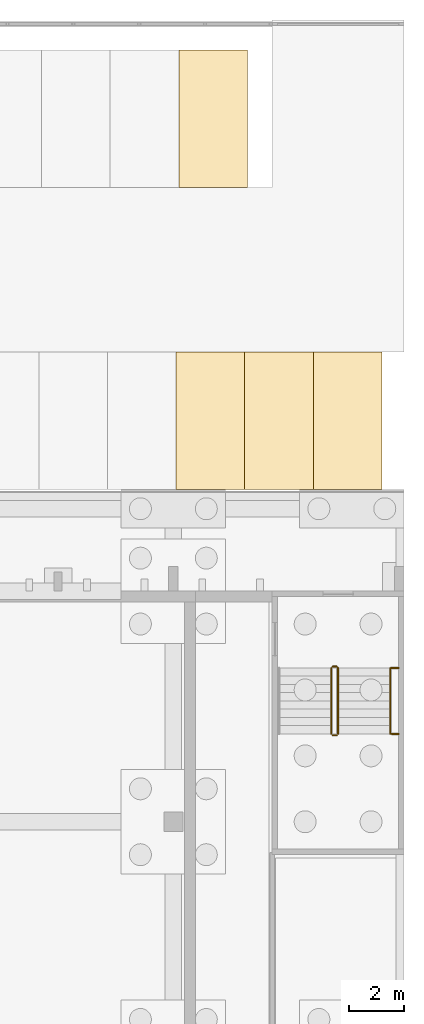
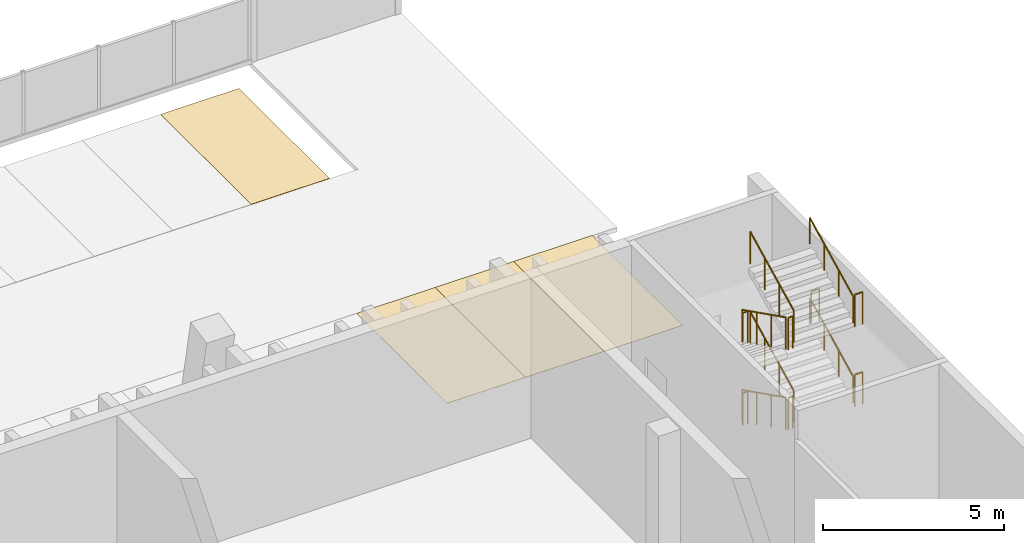
# One storey, part 128 of 129: 13 railings, 4 coverings.
"""IFC4 building model written with IfcOpenShell, lengths in metres."""

from ifc_helpers import new_model, si_unit, direction, frame, origin, origin_2d, place, context, subcontext, project, spatial, polyline, circle, outline, extrude, material, layer, layer_set, type_object, element, save


model = new_model("IFC4")

# Units and contexts
model_context = context("Model", 3, precision=1e-05, world=origin(), true_north=direction((0.0, 1.0)))
body_context = subcontext(model_context, "Body", "Model", "MODEL_VIEW")
ifc_project = project(units=[si_unit("LENGTHUNIT", "METRE"), si_unit("AREAUNIT", "SQUARE_METRE"), si_unit("VOLUMEUNIT", "CUBIC_METRE"), si_unit("PLANEANGLEUNIT", "RADIAN"), si_unit("MASSUNIT", "GRAM", prefix="KILO")], contexts=[model_context])

# Site, building, storey
site_placement = place(None, origin())
site = spatial("IfcSite", under=ifc_project, at=site_placement, CompositionType="ELEMENT")
building_placement = place(site_placement, origin())
building = spatial("IfcBuilding", under=site, at=building_placement, Name="Kiln Court Media Centre", CompositionType="ELEMENT")
storey_placement = place(building_placement, origin())
storey = spatial("IfcBuildingStorey", under=building, at=storey_placement, Name="L00", CompositionType="ELEMENT", Elevation=0.0)

# Railings
ifc_material_1 = material(Name="Steel S275", Category="steel")
railing_type_1 = type_object("IfcRailingType", Name="Steel S275 stair guard 1100", PredefinedType="GUARDRAIL", material=ifc_material_1)
railing_1_placement = place(storey_placement, frame((165.35009765625, 64.39990234375, 0.14990234375)))
element("IfcRailing", 1, at=railing_1_placement, inside=storey, type_object=railing_type_1, Name="ST-15 stair guard", PredefinedType="GUARDRAIL", context=body_context, shape_type="SweptSolid", body=[
    extrude(circle(Radius=0.02392578125, at=origin_2d()), frame((0.0, 0.0, 1.076171875), z_axis=(0.0, -0.894390793703, 0.44728638269), x_axis=(1.0, 0.0, 0.0)), (0.0, 0.0, 1.0), 2.683349609375),
    extrude(circle(Radius=0.02099609375, at=origin_2d()), origin(), (0.0, 0.0, 1.0), 1.052001953125),
    extrude(circle(Radius=0.02099609375, at=origin_2d()), frame((0.0, -0.800048828125, 0.400146484375)), (0.0, 0.0, 1.0), 1.052001953125),
    extrude(circle(Radius=0.02099609375, at=origin_2d()), frame((0.0, -1.599853515625, 0.800048828125)), (0.0, 0.0, 1.0), 1.052001953125),
    extrude(circle(Radius=0.02099609375, at=origin_2d()), frame((0.0, -2.39990234375, 1.2001953125)), (0.0, 0.0, 1.0), 1.052001953125),
])
railing_2_placement = place(storey_placement, frame((165.39990234375, 61.949951171875, 1.35009765625)))
element("IfcRailing", 2, at=railing_2_placement, inside=storey, type_object=railing_type_1, Name="ST-15 stair guard", PredefinedType="GUARDRAIL", context=body_context, shape_type="SweptSolid", body=[
    extrude(circle(Radius=0.02392578125, at=origin_2d()), frame((0.0, 0.0, 1.076171875), z_axis=(1.0, 0.0, 0.0), x_axis=(0.0, 1.0, 0.0)), (0.0, 0.0, 1.0), 0.150146484375),
    extrude(circle(Radius=0.02099609375, at=origin_2d()), origin(), (0.0, 0.0, 1.0), 1.052001953125),
    extrude(circle(Radius=0.02099609375, at=origin_2d()), frame((0.150146484375, 0.0, 0.0)), (0.0, 0.0, 1.0), 1.052001953125),
])
railing_3_placement = place(storey_placement, frame((165.60009765625, 62.0, 1.5)))
element("IfcRailing", 3, at=railing_3_placement, inside=storey, type_object=railing_type_1, Name="ST-15 stair guard", PredefinedType="GUARDRAIL", context=body_context, shape_type="SweptSolid", body=[
    extrude(circle(Radius=0.02392578125, at=origin_2d()), frame((0.0, 0.0, 1.076171875), z_axis=(0.0, 0.894427191, 0.4472135955), x_axis=(-1.0, 0.0, 0.0)), (0.0, 0.0, 1.0), 2.68310546875),
    extrude(circle(Radius=0.02099609375, at=origin_2d()), origin(), (0.0, 0.0, 1.0), 1.052001953125),
    extrude(circle(Radius=0.02099609375, at=origin_2d()), frame((0.0, 0.800048828125, 0.39990234375)), (0.0, 0.0, 1.0), 1.052001953125),
    extrude(circle(Radius=0.02099609375, at=origin_2d()), frame((0.0, 1.599853515625, 0.800048828125)), (0.0, 0.0, 1.0), 1.052001953125),
    extrude(circle(Radius=0.02099609375, at=origin_2d()), frame((0.0, 2.39990234375, 1.199951171875)), (0.0, 0.0, 1.0), 1.052001953125),
])
railing_4_placement = place(storey_placement, frame((165.39990234375, 64.449951171875, 2.699951171875)))
element("IfcRailing", 4, at=railing_4_placement, inside=storey, type_object=railing_type_1, Name="ST-15 stair guard", PredefinedType="GUARDRAIL", context=body_context, shape_type="SweptSolid", body=[
    extrude(circle(Radius=0.02392578125, at=origin_2d()), frame((0.0, 0.0, 1.076171875), z_axis=(1.0, 0.0, 0.0), x_axis=(0.0, 1.0, 0.0)), (0.0, 0.0, 1.0), 0.150146484375),
    extrude(circle(Radius=0.02099609375, at=origin_2d()), origin(), (0.0, 0.0, 1.0), 1.052001953125),
    extrude(circle(Radius=0.02099609375, at=origin_2d()), frame((0.150146484375, 0.0, 0.0)), (0.0, 0.0, 1.0), 1.052001953125),
])
railing_5_placement = place(storey_placement, frame((165.35009765625, 64.39990234375, 2.85009765625)))
element("IfcRailing", 5, at=railing_5_placement, inside=storey, type_object=railing_type_1, Name="ST-15 stair guard", PredefinedType="GUARDRAIL", context=body_context, shape_type="SweptSolid", body=[
    extrude(circle(Radius=0.02392578125, at=origin_2d()), frame((0.0, 0.0, 1.076171875), z_axis=(0.0, -0.894427191, 0.4472135955), x_axis=(1.0, 0.0, 0.0)), (0.0, 0.0, 1.0), 2.68310546875),
    extrude(circle(Radius=0.02099609375, at=origin_2d()), origin(), (0.0, 0.0, 1.0), 1.052001953125),
    extrude(circle(Radius=0.02099609375, at=origin_2d()), frame((0.0, -0.800048828125, 0.39990234375)), (0.0, 0.0, 1.0), 1.052001953125),
    extrude(circle(Radius=0.02099609375, at=origin_2d()), frame((0.0, -1.599853515625, 0.800048828125)), (0.0, 0.0, 1.0), 1.052001953125),
    extrude(circle(Radius=0.02099609375, at=origin_2d()), frame((0.0, -2.39990234375, 1.199951171875)), (0.0, 0.0, 1.0), 1.052001953125),
])
railing_6_placement = place(storey_placement, frame((165.39990234375, 61.949951171875, 4.050048828125)))
element("IfcRailing", 6, at=railing_6_placement, inside=storey, type_object=railing_type_1, Name="ST-15 stair guard", PredefinedType="GUARDRAIL", context=body_context, shape_type="SweptSolid", body=[
    extrude(circle(Radius=0.02392578125, at=origin_2d()), frame((0.0, 0.0, 1.076171875), z_axis=(1.0, 0.0, 0.0), x_axis=(0.0, 1.0, 0.0)), (0.0, 0.0, 1.0), 0.150146484375),
    extrude(circle(Radius=0.02099609375, at=origin_2d()), origin(), (0.0, 0.0, 1.0), 1.052001953125),
    extrude(circle(Radius=0.02099609375, at=origin_2d()), frame((0.150146484375, 0.0, 0.0)), (0.0, 0.0, 1.0), 1.052001953125),
])
railing_7_placement = place(storey_placement, frame((165.60009765625, 62.0, 4.199951171875)))
element("IfcRailing", 7, at=railing_7_placement, inside=storey, type_object=railing_type_1, Name="ST-15 stair guard", PredefinedType="GUARDRAIL", context=body_context, shape_type="SweptSolid", body=[
    extrude(circle(Radius=0.02392578125, at=origin_2d()), frame((0.0, 0.0, 1.076171875), z_axis=(0.0, 0.894427191, 0.4472135955), x_axis=(-1.0, 0.0, 0.0)), (0.0, 0.0, 1.0), 2.68310546875),
    extrude(circle(Radius=0.02099609375, at=origin_2d()), origin(), (0.0, 0.0, 1.0), 1.052001953125),
    extrude(circle(Radius=0.02099609375, at=origin_2d()), frame((0.0, 0.800048828125, 0.39990234375)), (0.0, 0.0, 1.0), 1.052001953125),
    extrude(circle(Radius=0.02099609375, at=origin_2d()), frame((0.0, 1.599853515625, 0.800048828125)), (0.0, 0.0, 1.0), 1.052001953125),
    extrude(circle(Radius=0.02099609375, at=origin_2d()), frame((0.0, 2.39990234375, 1.199951171875)), (0.0, 0.0, 1.0), 1.052001953125),
])
railing_8_placement = place(storey_placement, frame((165.39990234375, 64.449951171875, 0.0)))
element("IfcRailing", 8, at=railing_8_placement, inside=storey, type_object=railing_type_1, Name="ST-15 stair guard", PredefinedType="GUARDRAIL", context=body_context, shape_type="SweptSolid", body=[
    extrude(circle(Radius=0.02392578125, at=origin_2d()), frame((0.0, 0.0, 1.076171875), z_axis=(1.0, 0.0, 0.0), x_axis=(0.0, 1.0, 0.0)), (0.0, 0.0, 1.0), 0.150146484375),
    extrude(circle(Radius=0.02099609375, at=origin_2d()), origin(), (0.0, 0.0, 1.0), 1.052001953125),
    extrude(circle(Radius=0.02099609375, at=origin_2d()), frame((0.150146484375, 0.0, 0.0)), (0.0, 0.0, 1.0), 1.052001953125),
])
for number, where, name in (
    (9, (167.550048828125, 62.0, 1.35009765625), "ST-15 landing edge guard"),
    (10, (167.550048828125, 64.39990234375, 2.699951171875), "ST-15 landing edge guard"),
    (11, (167.550048828125, 62.0, 4.050048828125), "ST-15 landing edge guard"),
):
    element("IfcRailing", number, at=place(storey_placement, frame(where)), inside=storey, type_object=railing_type_1, Name=name, PredefinedType="GUARDRAIL", context=body_context, shape_type="SweptSolid", body=[
        extrude(circle(Radius=0.02392578125, at=origin_2d()), frame((0.0, 0.0, 1.076171875), z_axis=(1.0, 0.0, 0.0), x_axis=(0.0, 1.0, 0.0)), (0.0, 0.0, 1.0), 0.25),
        extrude(circle(Radius=0.02099609375, at=origin_2d()), origin(), (0.0, 0.0, 1.0), 1.052001953125),
        extrude(circle(Radius=0.02099609375, at=origin_2d()), frame((0.25, 0.0, 0.0)), (0.0, 0.0, 1.0), 1.052001953125),
    ])
ifc_material_2 = material(Name="Steel S275", Category="steel")
railing_type_2 = type_object("IfcRailingType", Name="Steel S275 stair handrail 900", PredefinedType="HANDRAIL", material=ifc_material_2)
for number, where, name in (
    (12, (167.5, 62.0, 1.5), "ST-15 stair handrail"),
    (13, (167.5, 62.0, 4.199951171875), "ST-15 stair handrail"),
):
    element("IfcRailing", number, at=place(storey_placement, frame(where)), inside=storey, type_object=railing_type_2, Name=name, PredefinedType="HANDRAIL", context=body_context, shape_type="SweptSolid", body=[
        extrude(circle(Radius=0.02392578125, at=origin_2d()), frame((0.0, 0.0, 0.8759765625), z_axis=(0.0, 0.894427191, 0.4472135955), x_axis=(-1.0, 0.0, 0.0)), (0.0, 0.0, 1.0), 2.68310546875),
        extrude(circle(Radius=0.02099609375, at=origin_2d()), origin(), (0.0, 0.0, 1.0), 0.851806640625),
        extrude(circle(Radius=0.02099609375, at=origin_2d()), frame((0.0, 0.800048828125, 0.39990234375)), (0.0, 0.0, 1.0), 0.851806640625),
        extrude(circle(Radius=0.02099609375, at=origin_2d()), frame((0.0, 1.599853515625, 0.800048828125)), (0.0, 0.0, 1.0), 0.851806640625),
        extrude(circle(Radius=0.02099609375, at=origin_2d()), frame((0.0, 2.39990234375, 1.199951171875)), (0.0, 0.0, 1.0), 0.851806640625),
    ])

# Coverings
ifc_material_3 = material(Name="Thermoplastic road marking", Category="coating")
ifc_layer = layer(ifc_material_3, 0.010009765625)
ifc_layer_set = layer_set([ifc_layer], Name="Thermoplastic standard car bay marking 2500x5000")
covering_type = type_object("IfcCoveringType", Name="Thermoplastic standard car bay marking 2500x5000", PredefinedType="FLOORING", material=ifc_layer_set)
covering_1_placement = place(storey_placement, frame((0.0, 0.0, -1.199951171875)))
element("IfcCovering", 14, at=covering_1_placement, inside=storey, type_object=covering_type, Name="Car bay P063", PredefinedType="FLOORING", context=body_context, shape_type="SweptSolid", body=[
    extrude(outline(polyline([(159.800048828125, 81.89990234375), (162.300048828125, 81.89990234375), (162.300048828125, 86.89990234375), (159.800048828125, 86.89990234375), (159.800048828125, 81.89990234375)])), origin(), (0.0, 0.0, 1.0), 0.010009765625),
])
covering_2_placement = place(storey_placement, frame((0.0, 0.0, -1.199951171875)))
element("IfcCovering", 15, at=covering_2_placement, inside=storey, type_object=covering_type, Name="Car bay P096", PredefinedType="FLOORING", context=body_context, shape_type="SweptSolid", body=[
    extrude(outline(polyline([(159.699951171875, 70.89990234375), (162.199951171875, 70.89990234375), (162.199951171875, 75.89990234375), (159.699951171875, 75.89990234375), (159.699951171875, 70.89990234375)])), origin(), (0.0, 0.0, 1.0), 0.010009765625),
])
covering_3_placement = place(storey_placement, frame((0.0, 0.0, -1.199951171875)))
element("IfcCovering", 16, at=covering_3_placement, inside=storey, type_object=covering_type, Name="Car bay P097", PredefinedType="FLOORING", context=body_context, shape_type="SweptSolid", body=[
    extrude(outline(polyline([(162.199951171875, 70.89990234375), (164.699951171875, 70.89990234375), (164.699951171875, 75.89990234375), (162.199951171875, 75.89990234375), (162.199951171875, 70.89990234375)])), origin(), (0.0, 0.0, 1.0), 0.010009765625),
])
covering_4_placement = place(storey_placement, frame((0.0, 0.0, -1.199951171875)))
element("IfcCovering", 17, at=covering_4_placement, inside=storey, type_object=covering_type, Name="Car bay P098", PredefinedType="FLOORING", context=body_context, shape_type="SweptSolid", body=[
    extrude(outline(polyline([(164.699951171875, 70.89990234375), (167.199951171875, 70.89990234375), (167.199951171875, 75.89990234375), (164.699951171875, 75.89990234375), (164.699951171875, 70.89990234375)])), origin(), (0.0, 0.0, 1.0), 0.010009765625),
])

save(model, "model.ifc")
